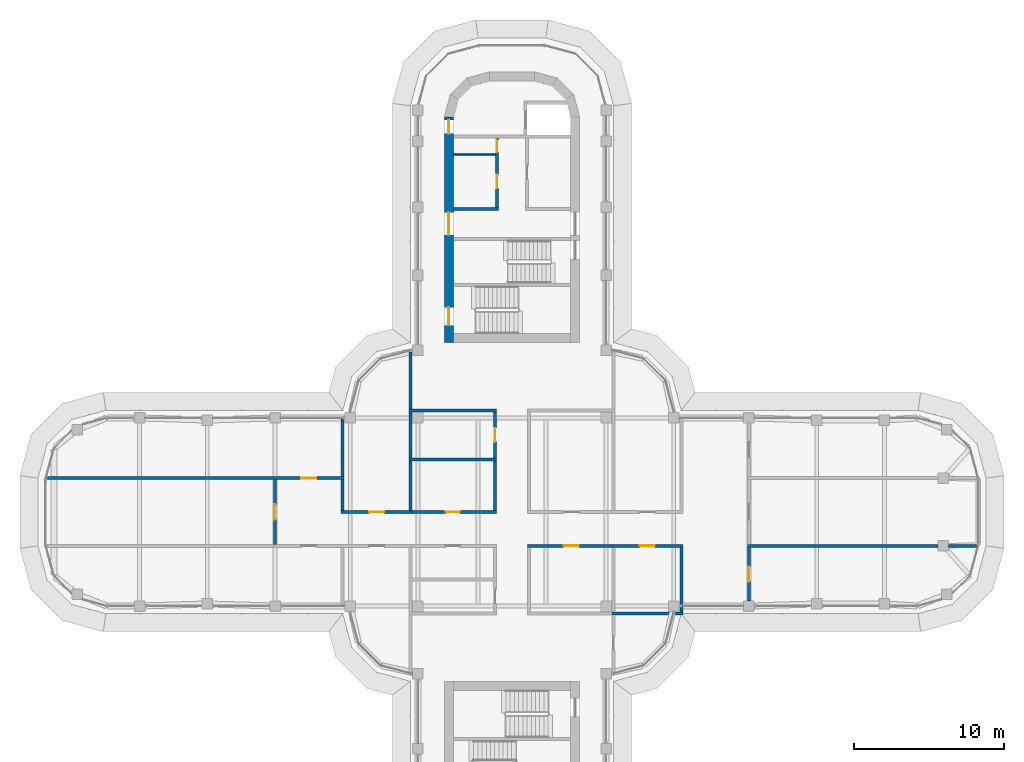
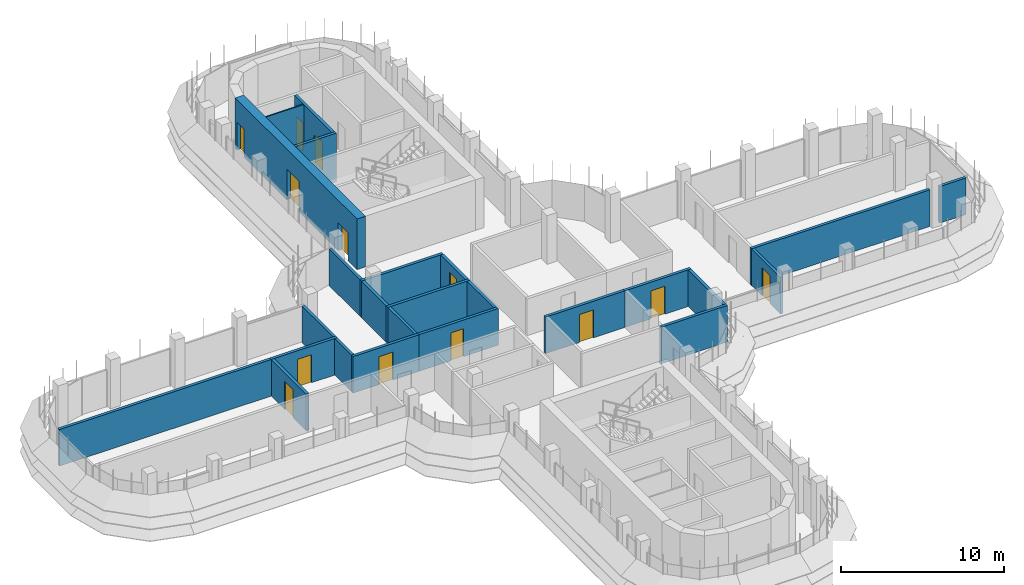
# One storey, part 14 of 19: 25 walls, 13 doors, 13 openings.
"""IFC4 building model written with IfcOpenShell, lengths in metres."""

from ifc_helpers import new_model, si_unit, direction, frame, frame_2d, origin, place, context, subcontext, project, spatial, rectangle, extrude, material, layer, layer_set, type_object, element, fill, save


model = new_model("IFC4")

# Units and contexts
model_context = context("Model", 3, precision=1e-05, world=origin(), true_north=direction((0.0, 1.0)))
body_context = subcontext(model_context, "Body", "Model", "MODEL_VIEW")
ifc_project = project(units=[si_unit("LENGTHUNIT", "METRE"), si_unit("AREAUNIT", "SQUARE_METRE"), si_unit("VOLUMEUNIT", "CUBIC_METRE"), si_unit("PLANEANGLEUNIT", "RADIAN"), si_unit("MASSUNIT", "GRAM", prefix="KILO")], contexts=[model_context])

# Site, building, storey
site_placement = place(None, origin())
site = spatial("IfcSite", under=ifc_project, at=site_placement, CompositionType="ELEMENT")
building_placement = place(site_placement, origin())
building = spatial("IfcBuilding", under=site, at=building_placement, Name="Zarbagh Exchange Tower", CompositionType="ELEMENT")
storey_placement = place(building_placement, frame((0.0, 0.0, 203.0)))
storey = spatial("IfcBuildingStorey", under=building, at=storey_placement, Name="L49", CompositionType="ELEMENT", Elevation=203.0)

# Wall
ifc_material_1 = material(Name="Dense blockwork", Category="masonry")
ifc_layer_1 = layer(ifc_material_1, 0.10009765625)
ifc_layer_set_1 = layer_set([ifc_layer_1], Name="Core partition 100 mm blockwork")
wall_type_1 = type_object("IfcWallType", Name="Core partition 100 mm blockwork", PredefinedType="PARTITIONING", material=ifc_layer_set_1)
wall_1_placement = place(storey_placement, frame((-3.89990234375, 23.75, 0.0), z_axis=(0.0, 0.0, 1.0), x_axis=(1.0, 0.0, 0.0)))
element("IfcWall", 1, at=wall_1_placement, inside=storey, type_object=wall_type_1, Name="North core partition wall CUT-W-460", PredefinedType="PARTITIONING", context=body_context, shape_type="SweptSolid", body=[
    extrude(rectangle(XDim=2.7998046875, YDim=0.10009765625, at=frame_2d((1.39990234375, 0.0))), origin(), (0.0, 0.0, 1.0), 3.64990234375),
])

# Wall, opening, door
ifc_material_2 = material(Name="Fire-rated plasterboard partition")
ifc_layer_2 = layer(ifc_material_2, 0.199951171875)
ifc_layer_set_2 = layer_set([ifc_layer_2], Name="RATED PARTITION 200")
wall_type_2 = type_object("IfcWallType", Name="RATED PARTITION 200", PredefinedType="PARTITIONING", material=ifc_layer_set_2)
wall_2_placement = place(storey_placement, frame((-6.85009765625, 0.0, 0.0), z_axis=(0.0, 0.0, 1.0), x_axis=(1.0, 0.0, 0.0)))
wall_2 = element("IfcWall", 2, at=wall_2_placement, inside=storey, type_object=wall_type_2, Name="Partition W-2103", PredefinedType="PARTITIONING", context=body_context, shape_type="SweptSolid", body=[
    extrude(rectangle(XDim=5.8251953125, YDim=0.199951171875, at=frame_2d((2.91259765625, 0.0))), origin(), (0.0, 0.0, 1.0), 2.75),
])
opening_1_placement = place(wall_2_placement, frame((2.46240234375, 0.0, 0.0)))
opening_1 = element("IfcOpeningElement", 3, at=opening_1_placement, cuts=wall_2, Name="Opening D-2106", PredefinedType="OPENING", context=body_context, shape_type="SweptSolid", body=[
    extrude(rectangle(XDim=0.89990234375, YDim=2.10009765625, at=frame_2d((0.449951171875, 1.050048828125))), frame((0.0, 0.10986328125, 0.0), z_axis=(0.0, -1.0, 0.0), x_axis=(1.0, 0.0, 0.0)), (0.0, 0.0, 1.0), 0.219970703125),
])
ifc_material_3 = material(Name="Timber door leaf", Category="wood")
door_type_1 = type_object("IfcDoorType", Name="DOOR 900 X 2100", OperationType="NOTDEFINED", PredefinedType="DOOR", material=ifc_material_3)
door_1_placement = place(opening_1_placement, origin())
door_1 = element("IfcDoor", 4, at=door_1_placement, inside=storey, type_object=door_type_1, Name="Door D-2106", OperationType="SINGLE_SWING_RIGHT", OverallHeight=2.10009765625, OverallWidth=0.89990234375, PredefinedType="DOOR", context=body_context, shape_type="SweptSolid", body=[
    extrude(rectangle(XDim=0.89990234375, YDim=2.10009765625, at=frame_2d((0.449951171875, 1.050048828125))), frame((0.0, 0.02490234375, 0.0), z_axis=(0.0, -1.0, 0.0), x_axis=(1.0, 0.0, 0.0)), (0.0, 0.0, 1.0), 0.050048828125),
])
fill(opening_1, door_1)

wall_3_placement = place(storey_placement, frame((-11.35009765625, 0.0, 0.0), z_axis=(0.0, 0.0, 1.0), x_axis=(1.0, 0.0, 0.0)))
wall_3 = element("IfcWall", 5, at=wall_3_placement, inside=storey, type_object=wall_type_2, Name="Partition W-2104", PredefinedType="PARTITIONING", context=body_context, shape_type="SweptSolid", body=[
    extrude(rectangle(XDim=4.7001953125, YDim=0.199951171875, at=frame_2d((2.35009765625, 0.0))), origin(), (0.0, 0.0, 1.0), 2.75),
])
opening_2_placement = place(wall_3_placement, frame((1.85009765625, 0.0, 0.0)))
opening_2 = element("IfcOpeningElement", 6, at=opening_2_placement, cuts=wall_3, Name="Opening D-2108", PredefinedType="OPENING", context=body_context, shape_type="SweptSolid", body=[
    extrude(rectangle(XDim=1.0, YDim=2.10009765625, at=frame_2d((0.5, 1.050048828125))), frame((0.0, 0.10986328125, 0.0), z_axis=(0.0, -1.0, 0.0), x_axis=(1.0, 0.0, 0.0)), (0.0, 0.0, 1.0), 0.219970703125),
])
ifc_material_4 = material(Name="Steel door set", Category="steel")
door_type_2 = type_object("IfcDoorType", Name="FIRE DOOR 1000 X 2100 FD30S", OperationType="NOTDEFINED", PredefinedType="DOOR", material=ifc_material_4)
door_2_placement = place(opening_2_placement, origin())
door_2 = element("IfcDoor", 7, at=door_2_placement, inside=storey, type_object=door_type_2, Name="Door D-2108", OperationType="SINGLE_SWING_RIGHT", OverallHeight=2.10009765625, OverallWidth=1.0, PredefinedType="DOOR", context=body_context, shape_type="SweptSolid", body=[
    extrude(rectangle(XDim=1.0, YDim=2.10009765625, at=frame_2d((0.5, 1.050048828125))), frame((0.0, 0.02490234375, 0.0), z_axis=(0.0, -1.0, 0.0), x_axis=(1.0, 0.0, 0.0)), (0.0, 0.0, 1.0), 0.050048828125),
])
fill(opening_2, door_2)

wall_4_placement = place(storey_placement, frame((6.85009765625, -2.25, 0.0), z_axis=(0.0, 0.0, 1.0), x_axis=(-1.0, 0.0, 0.0)))
wall_4 = element("IfcWall", 8, at=wall_4_placement, inside=storey, type_object=wall_type_2, Name="Partition W-2105", PredefinedType="PARTITIONING", context=body_context, shape_type="SweptSolid", body=[
    extrude(rectangle(XDim=5.8251953125, YDim=0.199951171875, at=frame_2d((2.91259765625, 0.0))), origin(), (0.0, 0.0, 1.0), 2.75),
])
opening_3_placement = place(wall_4_placement, frame((2.41259765625, 0.0, 0.0)))
opening_3 = element("IfcOpeningElement", 9, at=opening_3_placement, cuts=wall_4, Name="Opening D-2109", PredefinedType="OPENING", context=body_context, shape_type="SweptSolid", body=[
    extrude(rectangle(XDim=1.0, YDim=2.10009765625, at=frame_2d((0.5, 1.050048828125))), frame((0.0, 0.10986328125, 0.0), z_axis=(0.0, -1.0, 0.0), x_axis=(1.0, 0.0, 0.0)), (0.0, 0.0, 1.0), 0.219970703125),
])
door_3_placement = place(opening_3_placement, origin())
door_3 = element("IfcDoor", 10, at=door_3_placement, inside=storey, type_object=door_type_2, Name="Door D-2109", OperationType="SINGLE_SWING_RIGHT", OverallHeight=2.10009765625, OverallWidth=1.0, PredefinedType="DOOR", context=body_context, shape_type="SweptSolid", body=[
    extrude(rectangle(XDim=1.0, YDim=2.10009765625, at=frame_2d((0.5, 1.050048828125))), frame((0.0, 0.02490234375, 0.0), z_axis=(0.0, -1.0, 0.0), x_axis=(1.0, 0.0, 0.0)), (0.0, 0.0, 1.0), 0.050048828125),
])
fill(opening_3, door_3)

wall_5_placement = place(storey_placement, frame((11.35009765625, -2.25, 0.0), z_axis=(0.0, 0.0, 1.0), x_axis=(-1.0, 0.0, 0.0)))
wall_5 = element("IfcWall", 11, at=wall_5_placement, inside=storey, type_object=wall_type_2, Name="Partition W-2106", PredefinedType="PARTITIONING", context=body_context, shape_type="SweptSolid", body=[
    extrude(rectangle(XDim=4.7001953125, YDim=0.199951171875, at=frame_2d((2.35009765625, 0.0))), origin(), (0.0, 0.0, 1.0), 2.75),
])
opening_4_placement = place(wall_5_placement, frame((1.85009765625, 0.0, 0.0)))
opening_4 = element("IfcOpeningElement", 12, at=opening_4_placement, cuts=wall_5, Name="Opening D-2110", PredefinedType="OPENING", context=body_context, shape_type="SweptSolid", body=[
    extrude(rectangle(XDim=1.0, YDim=2.10009765625, at=frame_2d((0.5, 1.050048828125))), frame((0.0, 0.10986328125, 0.0), z_axis=(0.0, -1.0, 0.0), x_axis=(1.0, 0.0, 0.0)), (0.0, 0.0, 1.0), 0.219970703125),
])
door_4_placement = place(opening_4_placement, origin())
door_4 = element("IfcDoor", 13, at=door_4_placement, inside=storey, type_object=door_type_2, Name="Door D-2110", OperationType="SINGLE_SWING_RIGHT", OverallHeight=2.10009765625, OverallWidth=1.0, PredefinedType="DOOR", context=body_context, shape_type="SweptSolid", body=[
    extrude(rectangle(XDim=1.0, YDim=2.10009765625, at=frame_2d((0.5, 1.050048828125))), frame((0.0, 0.02490234375, 0.0), z_axis=(0.0, -1.0, 0.0), x_axis=(1.0, 0.0, 0.0)), (0.0, 0.0, 1.0), 0.050048828125),
])
fill(opening_4, door_4)

# Wall
wall_6_placement = place(storey_placement, frame((-1.125, 0.10009765625, 0.0), z_axis=(0.0, 0.0, 1.0), x_axis=(0.0, 1.0, 0.0)))
element("IfcWall", 14, at=wall_6_placement, inside=storey, type_object=wall_type_2, Name="Partition W-2110", PredefinedType="PARTITIONING", context=body_context, shape_type="SweptSolid", body=[
    extrude(rectangle(XDim=3.2998046875, YDim=0.199951171875, at=frame_2d((1.64990234375, 0.0))), origin(), (0.0, 0.0, 1.0), 2.75),
])

# Wall, opening, door
wall_7_placement = place(storey_placement, frame((-1.125, 3.60009765625, 0.0), z_axis=(0.0, 0.0, 1.0), x_axis=(0.0, 1.0, 0.0)))
wall_7 = element("IfcWall", 15, at=wall_7_placement, inside=storey, type_object=wall_type_2, Name="Partition W-2111", PredefinedType="PARTITIONING", context=body_context, shape_type="SweptSolid", body=[
    extrude(rectangle(XDim=3.0498046875, YDim=0.199951171875, at=frame_2d((1.52490234375, 0.0))), origin(), (0.0, 0.0, 1.0), 2.75),
])
opening_5_placement = place(wall_7_placement, frame((1.074951171875, 0.0, 0.0)))
opening_5 = element("IfcOpeningElement", 16, at=opening_5_placement, cuts=wall_7, Name="Opening D-2107", PredefinedType="OPENING", context=body_context, shape_type="SweptSolid", body=[
    extrude(rectangle(XDim=0.89990234375, YDim=2.10009765625, at=frame_2d((0.449951171875, 1.050048828125))), frame((0.0, 0.10986328125, 0.0), z_axis=(0.0, -1.0, 0.0), x_axis=(1.0, 0.0, 0.0)), (0.0, 0.0, 1.0), 0.219970703125),
])
door_5_placement = place(opening_5_placement, origin())
door_5 = element("IfcDoor", 17, at=door_5_placement, inside=storey, type_object=door_type_1, Name="Door D-2107", OperationType="SINGLE_SWING_LEFT", OverallHeight=2.10009765625, OverallWidth=0.89990234375, PredefinedType="DOOR", context=body_context, shape_type="SweptSolid", body=[
    extrude(rectangle(XDim=0.89990234375, YDim=2.10009765625, at=frame_2d((0.449951171875, 1.050048828125))), frame((0.0, 0.02490234375, 0.0), z_axis=(0.0, -1.0, 0.0), x_axis=(1.0, 0.0, 0.0)), (0.0, 0.0, 1.0), 0.050048828125),
])
fill(opening_5, door_5)

# Walls
wall_8_placement = place(storey_placement, frame((-6.85009765625, 6.75, 0.0), z_axis=(0.0, 0.0, 1.0), x_axis=(1.0, 0.0, 0.0)))
element("IfcWall", 18, at=wall_8_placement, inside=storey, type_object=wall_type_2, Name="Partition W-2117", PredefinedType="PARTITIONING", context=body_context, shape_type="SweptSolid", body=[
    extrude(rectangle(XDim=5.8251953125, YDim=0.199951171875, at=frame_2d((2.91259765625, 0.0))), origin(), (0.0, 0.0, 1.0), 2.75),
])
wall_9_placement = place(storey_placement, frame((-6.75, 6.85009765625, 0.0), z_axis=(0.0, 0.0, 1.0), x_axis=(0.0, 1.0, 0.0)))
element("IfcWall", 19, at=wall_9_placement, inside=storey, type_object=wall_type_2, Name="Partition W-2118", PredefinedType="PARTITIONING", context=body_context, shape_type="SweptSolid", body=[
    extrude(rectangle(XDim=3.77978515625, YDim=0.199951171875, at=frame_2d((1.889892578125, 0.0))), origin(), (0.0, 0.0, 1.0), 2.75),
])
wall_10_placement = place(storey_placement, frame((-6.85009765625, 3.5, 0.0), z_axis=(0.0, 0.0, 1.0), x_axis=(1.0, 0.0, 0.0)))
element("IfcWall", 20, at=wall_10_placement, inside=storey, type_object=wall_type_2, Name="Partition W-2125", PredefinedType="PARTITIONING", context=body_context, shape_type="SweptSolid", body=[
    extrude(rectangle(XDim=5.8251953125, YDim=0.199951171875, at=frame_2d((2.91259765625, 0.0))), origin(), (0.0, 0.0, 1.0), 2.75),
])
wall_11_placement = place(storey_placement, frame((-6.75, 0.10009765625, 0.0), z_axis=(0.0, 0.0, 1.0), x_axis=(0.0, 1.0, 0.0)))
element("IfcWall", 21, at=wall_11_placement, inside=storey, type_object=wall_type_2, Name="Partition W-2126", PredefinedType="PARTITIONING", context=body_context, shape_type="SweptSolid", body=[
    extrude(rectangle(XDim=3.2998046875, YDim=0.199951171875, at=frame_2d((1.64990234375, 0.0))), origin(), (0.0, 0.0, 1.0), 2.75),
])
wall_12_placement = place(storey_placement, frame((-6.75, 3.60009765625, 0.0), z_axis=(0.0, 0.0, 1.0), x_axis=(0.0, 1.0, 0.0)))
element("IfcWall", 22, at=wall_12_placement, inside=storey, type_object=wall_type_2, Name="Partition W-2127", PredefinedType="PARTITIONING", context=body_context, shape_type="SweptSolid", body=[
    extrude(rectangle(XDim=3.0498046875, YDim=0.199951171875, at=frame_2d((1.52490234375, 0.0))), origin(), (0.0, 0.0, 1.0), 2.75),
])
wall_13_placement = place(storey_placement, frame((-11.25, 0.10009765625, 0.0), z_axis=(0.0, 0.0, 1.0), x_axis=(0.0, 1.0, 0.0)))
element("IfcWall", 23, at=wall_13_placement, inside=storey, type_object=wall_type_2, Name="Partition W-2128", PredefinedType="PARTITIONING", context=body_context, shape_type="SweptSolid", body=[
    extrude(rectangle(XDim=2.0498046875, YDim=0.199951171875, at=frame_2d((1.02490234375, 0.0))), origin(), (0.0, 0.0, 1.0), 2.75),
])
wall_14_placement = place(storey_placement, frame((-11.25, 2.35009765625, 0.0), z_axis=(0.0, 0.0, 1.0), x_axis=(0.0, 1.0, 0.0)))
element("IfcWall", 24, at=wall_14_placement, inside=storey, type_object=wall_type_2, Name="Partition W-2129", PredefinedType="PARTITIONING", context=body_context, shape_type="SweptSolid", body=[
    extrude(rectangle(XDim=3.81982421875, YDim=0.199951171875, at=frame_2d((1.909912109375, 0.0))), origin(), (0.0, 0.0, 1.0), 2.75),
])
wall_15_placement = place(storey_placement, frame((6.64990234375, -6.75, 0.0), z_axis=(0.0, 0.0, 1.0), x_axis=(1.0, 0.0, 0.0)))
element("IfcWall", 25, at=wall_15_placement, inside=storey, type_object=wall_type_2, Name="Partition W-2131", PredefinedType="PARTITIONING", context=body_context, shape_type="SweptSolid", body=[
    extrude(rectangle(XDim=4.7001953125, YDim=0.199951171875, at=frame_2d((2.35009765625, 0.0))), origin(), (0.0, 0.0, 1.0), 2.75),
])
wall_16_placement = place(storey_placement, frame((11.25, -6.64990234375, 0.0), z_axis=(0.0, 0.0, 1.0), x_axis=(0.0, 1.0, 0.0)))
element("IfcWall", 26, at=wall_16_placement, inside=storey, type_object=wall_type_2, Name="Partition W-2132", PredefinedType="PARTITIONING", context=body_context, shape_type="SweptSolid", body=[
    extrude(rectangle(XDim=4.2998046875, YDim=0.199951171875, at=frame_2d((2.14990234375, 0.0))), origin(), (0.0, 0.0, 1.0), 2.75),
])

# Wall, opening, door
wall_17_placement = place(storey_placement, frame((15.75, -2.35009765625, 0.0), z_axis=(0.0, 0.0, 1.0), x_axis=(0.0, -1.0, 0.0)))
wall_17 = element("IfcWall", 27, at=wall_17_placement, inside=storey, type_object=wall_type_2, Name="Partition W-2137", PredefinedType="PARTITIONING", context=body_context, shape_type="SweptSolid", body=[
    extrude(rectangle(XDim=3.5498046875, YDim=0.199951171875, at=frame_2d((1.77490234375, 0.0))), origin(), (0.0, 0.0, 1.0), 2.75),
])
opening_6_placement = place(wall_17_placement, frame((1.27490234375, 0.0, 0.0)))
opening_6 = element("IfcOpeningElement", 28, at=opening_6_placement, cuts=wall_17, Name="Opening D-2101", PredefinedType="OPENING", context=body_context, shape_type="SweptSolid", body=[
    extrude(rectangle(XDim=1.0, YDim=2.10009765625, at=frame_2d((0.5, 1.050048828125))), frame((0.0, 0.10986328125, 0.0), z_axis=(0.0, -1.0, 0.0), x_axis=(1.0, 0.0, 0.0)), (0.0, 0.0, 1.0), 0.219970703125),
])
door_6_placement = place(opening_6_placement, origin())
door_6 = element("IfcDoor", 29, at=door_6_placement, inside=storey, type_object=door_type_2, Name="Door D-2101", OperationType="SINGLE_SWING_LEFT", OverallHeight=2.10009765625, OverallWidth=1.0, PredefinedType="DOOR", context=body_context, shape_type="SweptSolid", body=[
    extrude(rectangle(XDim=1.0, YDim=2.10009765625, at=frame_2d((0.5, 1.050048828125))), frame((0.0, 0.02490234375, 0.0), z_axis=(0.0, -1.0, 0.0), x_axis=(1.0, 0.0, 0.0)), (0.0, 0.0, 1.0), 0.050048828125),
])
fill(opening_6, door_6)

# Walls
wall_18_placement = place(storey_placement, frame((15.64990234375, -2.25, 0.0), z_axis=(0.0, 0.0, 1.0), x_axis=(1.0, 0.0, 0.0)))
element("IfcWall", 30, at=wall_18_placement, inside=storey, type_object=wall_type_2, Name="Partition W-2140", PredefinedType="PARTITIONING", context=body_context, shape_type="SweptSolid", body=[
    extrude(rectangle(XDim=12.670166015625, YDim=0.199951171875, at=frame_2d((6.3349609375, 0.0))), origin(), (0.0, 0.0, 1.0), 2.75),
])
wall_19_placement = place(storey_placement, frame((29.02001953125, -2.25, 0.0), z_axis=(0.0, 0.0, 1.0), x_axis=(1.0, 0.0, 0.0)))
element("IfcWall", 31, at=wall_19_placement, inside=storey, type_object=wall_type_2, Name="Partition W-2141", PredefinedType="PARTITIONING", context=body_context, shape_type="SweptSolid", body=[
    extrude(rectangle(XDim=1.85986328125, YDim=0.199951171875, at=frame_2d((0.929931640625, 0.0))), origin(), (0.0, 0.0, 1.0), 2.75),
])

# Wall, opening, door
wall_20_placement = place(storey_placement, frame((-15.85009765625, 2.25, 0.0), z_axis=(0.0, 0.0, 1.0), x_axis=(1.0, 0.0, 0.0)))
wall_20 = element("IfcWall", 32, at=wall_20_placement, inside=storey, type_object=wall_type_2, Name="Partition W-2144", PredefinedType="PARTITIONING", context=body_context, shape_type="SweptSolid", body=[
    extrude(rectangle(XDim=4.7001953125, YDim=0.199951171875, at=frame_2d((2.35009765625, 0.0))), origin(), (0.0, 0.0, 1.0), 2.75),
])
opening_7_placement = place(wall_20_placement, frame((1.85009765625, 0.0, 0.0)))
opening_7 = element("IfcOpeningElement", 33, at=opening_7_placement, cuts=wall_20, Name="Opening D-2116", PredefinedType="OPENING", context=body_context, shape_type="SweptSolid", body=[
    extrude(rectangle(XDim=1.0, YDim=2.10009765625, at=frame_2d((0.5, 1.050048828125))), frame((0.0, 0.10986328125, 0.0), z_axis=(0.0, -1.0, 0.0), x_axis=(1.0, 0.0, 0.0)), (0.0, 0.0, 1.0), 0.219970703125),
])
door_7_placement = place(opening_7_placement, origin())
door_7 = element("IfcDoor", 34, at=door_7_placement, inside=storey, type_object=door_type_2, Name="Door D-2116", OperationType="SINGLE_SWING_RIGHT", OverallHeight=2.10009765625, OverallWidth=1.0, PredefinedType="DOOR", context=body_context, shape_type="SweptSolid", body=[
    extrude(rectangle(XDim=1.0, YDim=2.10009765625, at=frame_2d((0.5, 1.050048828125))), frame((0.0, 0.02490234375, 0.0), z_axis=(0.0, -1.0, 0.0), x_axis=(1.0, 0.0, 0.0)), (0.0, 0.0, 1.0), 0.050048828125),
])
fill(opening_7, door_7)

wall_21_placement = place(storey_placement, frame((-15.75, -2.14990234375, 0.0), z_axis=(0.0, 0.0, 1.0), x_axis=(0.0, 1.0, 0.0)))
wall_21 = element("IfcWall", 35, at=wall_21_placement, inside=storey, type_object=wall_type_2, Name="Partition W-2146", PredefinedType="PARTITIONING", context=body_context, shape_type="SweptSolid", body=[
    extrude(rectangle(XDim=4.2998046875, YDim=0.199951171875, at=frame_2d((2.14990234375, 0.0))), origin(), (0.0, 0.0, 1.0), 2.75),
])
opening_8_placement = place(wall_21_placement, frame((1.64990234375, 0.0, 0.0)))
opening_8 = element("IfcOpeningElement", 36, at=opening_8_placement, cuts=wall_21, Name="Opening D-2115", PredefinedType="OPENING", context=body_context, shape_type="SweptSolid", body=[
    extrude(rectangle(XDim=1.0, YDim=2.10009765625, at=frame_2d((0.5, 1.050048828125))), frame((0.0, 0.10986328125, 0.0), z_axis=(0.0, -1.0, 0.0), x_axis=(1.0, 0.0, 0.0)), (0.0, 0.0, 1.0), 0.219970703125),
])
door_8_placement = place(opening_8_placement, origin())
door_8 = element("IfcDoor", 37, at=door_8_placement, inside=storey, type_object=door_type_2, Name="Door D-2115", OperationType="SINGLE_SWING_RIGHT", OverallHeight=2.10009765625, OverallWidth=1.0, PredefinedType="DOOR", context=body_context, shape_type="SweptSolid", body=[
    extrude(rectangle(XDim=1.0, YDim=2.10009765625, at=frame_2d((0.5, 1.050048828125))), frame((0.0, 0.02490234375, 0.0), z_axis=(0.0, -1.0, 0.0), x_axis=(1.0, 0.0, 0.0)), (0.0, 0.0, 1.0), 0.050048828125),
])
fill(opening_8, door_8)

# Wall
wall_22_placement = place(storey_placement, frame((-30.8798828125, 2.25, 0.0), z_axis=(0.0, 0.0, 1.0), x_axis=(1.0, 0.0, 0.0)))
element("IfcWall", 38, at=wall_22_placement, inside=storey, type_object=wall_type_2, Name="Partition W-2147", PredefinedType="PARTITIONING", context=body_context, shape_type="SweptSolid", body=[
    extrude(rectangle(XDim=15.22998046875, YDim=0.199951171875, at=frame_2d((7.614990234375, 0.0))), origin(), (0.0, 0.0, 1.0), 2.75),
])

# Wall, openings, doors
ifc_material_5 = material(Name="Concrete C50/60", Category="concrete")
ifc_layer_3 = layer(ifc_material_5, 0.60009765625)
ifc_layer_set_3 = layer_set([ifc_layer_3], Name="RC core wall 600 C50/60")
wall_type_3 = type_object("IfcWallType", Name="RC core wall 600 C50/60", PredefinedType="SHEAR", material=ifc_layer_set_3)
wall_23_placement = place(storey_placement, frame((-4.199951171875, 11.25, 0.0), z_axis=(0.0, 0.0, 1.0), x_axis=(0.0, 1.0, 0.0)))
wall_23 = element("IfcWall", 39, at=wall_23_placement, inside=storey, type_object=wall_type_3, Name="CW7 core N W", PredefinedType="SHEAR", context=body_context, shape_type="SweptSolid", body=[
    extrude(rectangle(XDim=15.0, YDim=0.60009765625, at=frame_2d((7.5, 0.0))), origin(), (0.0, 0.0, 1.0), 3.800048828125),
])
opening_9_placement = place(wall_23_placement, frame((7.14990234375, 0.0, 0.0)))
opening_9 = element("IfcOpeningElement", 40, at=opening_9_placement, cuts=wall_23, Name="Opening CD1-1500", PredefinedType="OPENING", context=body_context, shape_type="SweptSolid", body=[
    extrude(rectangle(XDim=1.5, YDim=2.300048828125, at=frame_2d((0.75, 1.14990234375))), frame((0.0, 0.31005859375, 0.0), z_axis=(0.0, -1.0, 0.0), x_axis=(1.0, 0.0, 0.0)), (0.0, 0.0, 1.0), 0.6201171875),
])
opening_10_placement = place(wall_23_placement, frame((13.89990234375, 0.0, 0.0)))
opening_10 = element("IfcOpeningElement", 41, at=opening_10_placement, cuts=wall_23, Name="Opening CD2-900", PredefinedType="OPENING", context=body_context, shape_type="SweptSolid", body=[
    extrude(rectangle(XDim=0.89990234375, YDim=2.10009765625, at=frame_2d((0.449951171875, 1.050048828125))), frame((0.0, 0.31005859375, 0.0), z_axis=(0.0, -1.0, 0.0), x_axis=(1.0, 0.0, 0.0)), (0.0, 0.0, 1.0), 0.6201171875),
])
opening_11_placement = place(wall_23_placement, frame((1.14990234375, 0.0, 0.0)))
opening_11 = element("IfcOpeningElement", 42, at=opening_11_placement, cuts=wall_23, Name="Opening SD1-1200", PredefinedType="OPENING", context=body_context, shape_type="SweptSolid", body=[
    extrude(rectangle(XDim=1.199951171875, YDim=2.10009765625, at=frame_2d((0.60009765625, 1.050048828125))), frame((0.0, 0.31005859375, 0.0), z_axis=(0.0, -1.0, 0.0), x_axis=(1.0, 0.0, 0.0)), (0.0, 0.0, 1.0), 0.6201171875),
])
ifc_material_6 = material(Name="Steel", Category="steel")
door_type_3 = type_object("IfcDoorType", Name="Exit stair door 1200 x 2100", OperationType="NOTDEFINED", PredefinedType="DOOR", material=ifc_material_6)
door_9_placement = place(opening_11_placement, origin())
door_9 = element("IfcDoor", 43, at=door_9_placement, inside=storey, type_object=door_type_3, Name="North core stair door ST2", OperationType="SINGLE_SWING_RIGHT", OverallHeight=2.10009765625, OverallWidth=1.199951171875, PredefinedType="DOOR", context=body_context, shape_type="SweptSolid", body=[
    extrude(rectangle(XDim=1.199951171875, YDim=2.10009765625, at=frame_2d((0.60009765625, 1.050048828125))), frame((0.0, 0.02490234375, 0.0), z_axis=(0.0, -1.0, 0.0), x_axis=(1.0, 0.0, 0.0)), (0.0, 0.0, 1.0), 0.050048828125),
])
fill(opening_11, door_9)
door_type_4 = type_object("IfcDoorType", Name="Firefighting lobby door 900 x 2100", OperationType="NOTDEFINED", PredefinedType="DOOR", material=ifc_material_6)
door_10_placement = place(opening_10_placement, origin())
door_10 = element("IfcDoor", 44, at=door_10_placement, inside=storey, type_object=door_type_4, Name="North core firefighting lobby door FF-W", OperationType="SINGLE_SWING_LEFT", OverallHeight=2.10009765625, OverallWidth=0.89990234375, PredefinedType="DOOR", context=body_context, shape_type="SweptSolid", body=[
    extrude(rectangle(XDim=0.89990234375, YDim=2.10009765625, at=frame_2d((0.449951171875, 1.050048828125))), frame((0.0, 0.02490234375, 0.0), z_axis=(0.0, -1.0, 0.0), x_axis=(1.0, 0.0, 0.0)), (0.0, 0.0, 1.0), 0.050048828125),
])
fill(opening_10, door_10)
door_type_5 = type_object("IfcDoorType", Name="Lift lobby double door 1500 x 2300", OperationType="NOTDEFINED", PredefinedType="DOOR", material=ifc_material_6)
door_11_placement = place(opening_9_placement, origin())
door_11 = element("IfcDoor", 45, at=door_11_placement, inside=storey, type_object=door_type_5, Name="North core lift lobby door LOBBY-W", OperationType="DOUBLE_DOOR_SINGLE_SWING", OverallHeight=2.300048828125, OverallWidth=1.5, PredefinedType="DOOR", context=body_context, shape_type="SweptSolid", body=[
    extrude(rectangle(XDim=1.5, YDim=2.300048828125, at=frame_2d((0.75, 1.14990234375))), frame((0.0, 0.02490234375, 0.0), z_axis=(0.0, -1.0, 0.0), x_axis=(1.0, 0.0, 0.0)), (0.0, 0.0, 1.0), 0.050048828125),
])
fill(opening_9, door_11)

# Wall
ifc_layer_4 = layer(ifc_material_1, 0.199951171875)
ifc_layer_set_4 = layer_set([ifc_layer_4], Name="Shaft wall 200 mm blockwork")
wall_type_4 = type_object("IfcWallType", Name="Shaft wall 200 mm blockwork", PredefinedType="PARTITIONING", material=ifc_layer_set_4)
wall_24_placement = place(storey_placement, frame((-3.89990234375, 20.14990234375, 0.0), z_axis=(0.0, 0.0, 1.0), x_axis=(1.0, 0.0, 0.0)))
element("IfcWall", 46, at=wall_24_placement, inside=storey, type_object=wall_type_4, Name="North core shaft wall AB-W", PredefinedType="PARTITIONING", context=body_context, shape_type="SweptSolid", body=[
    extrude(rectangle(XDim=3.0, YDim=0.199951171875, at=frame_2d((1.5, 0.0))), origin(), (0.0, 0.0, 1.0), 3.64990234375),
])

# Wall, openings, doors
wall_25_placement = place(storey_placement, frame((-1.0, 24.85009765625, 0.0), z_axis=(0.0, 0.0, 1.0), x_axis=(0.0, -1.0, 0.0)))
wall_25 = element("IfcWall", 47, at=wall_25_placement, inside=storey, type_object=wall_type_4, Name="North core shaft wall LW-W", PredefinedType="PARTITIONING", context=body_context, shape_type="SweptSolid", body=[
    extrude(rectangle(XDim=4.60009765625, YDim=0.199951171875, at=frame_2d((2.300048828125, 0.0))), origin(), (0.0, 0.0, 1.0), 3.64990234375),
])
opening_12_placement = place(wall_25_placement, frame((0.125, 0.0, 0.0)))
opening_12 = element("IfcOpeningElement", 48, at=opening_12_placement, cuts=wall_25, Name="Opening CD3-800", PredefinedType="OPENING", context=body_context, shape_type="SweptSolid", body=[
    extrude(rectangle(XDim=0.800048828125, YDim=2.10009765625, at=frame_2d((0.39990234375, 1.050048828125))), frame((0.0, 0.10986328125, 0.0), z_axis=(0.0, -1.0, 0.0), x_axis=(1.0, 0.0, 0.0)), (0.0, 0.0, 1.0), 0.219970703125),
])
opening_13_placement = place(wall_25_placement, frame((2.425048828125, 0.0, 0.0)))
opening_13 = element("IfcOpeningElement", 49, at=opening_13_placement, cuts=wall_25, Name="Opening CD3-900", PredefinedType="OPENING", context=body_context, shape_type="SweptSolid", body=[
    extrude(rectangle(XDim=0.89990234375, YDim=2.10009765625, at=frame_2d((0.449951171875, 1.050048828125))), frame((0.0, 0.10986328125, 0.0), z_axis=(0.0, -1.0, 0.0), x_axis=(1.0, 0.0, 0.0)), (0.0, 0.0, 1.0), 0.219970703125),
])
door_type_6 = type_object("IfcDoorType", Name="Core room door 800 x 2100", OperationType="NOTDEFINED", PredefinedType="DOOR", material=ifc_material_6)
door_12_placement = place(opening_12_placement, origin())
door_12 = element("IfcDoor", 50, at=door_12_placement, inside=storey, type_object=door_type_6, Name="North core Store door RD-W-0", OperationType="SINGLE_SWING_LEFT", OverallHeight=2.10009765625, OverallWidth=0.800048828125, PredefinedType="DOOR", context=body_context, shape_type="SweptSolid", body=[
    extrude(rectangle(XDim=0.800048828125, YDim=2.10009765625, at=frame_2d((0.39990234375, 1.050048828125))), frame((0.0, 0.02490234375, 0.0), z_axis=(0.0, -1.0, 0.0), x_axis=(1.0, 0.0, 0.0)), (0.0, 0.0, 1.0), 0.050048828125),
])
fill(opening_12, door_12)
door_type_7 = type_object("IfcDoorType", Name="Core room door 900 x 2100", OperationType="NOTDEFINED", PredefinedType="DOOR", material=ifc_material_6)
door_13_placement = place(opening_13_placement, origin())
door_13 = element("IfcDoor", 51, at=door_13_placement, inside=storey, type_object=door_type_7, Name="North core Accessible WC door RD-W-1", OperationType="SINGLE_SWING_LEFT", OverallHeight=2.10009765625, OverallWidth=0.89990234375, PredefinedType="DOOR", context=body_context, shape_type="SweptSolid", body=[
    extrude(rectangle(XDim=0.89990234375, YDim=2.10009765625, at=frame_2d((0.449951171875, 1.050048828125))), frame((0.0, 0.02490234375, 0.0), z_axis=(0.0, -1.0, 0.0), x_axis=(1.0, 0.0, 0.0)), (0.0, 0.0, 1.0), 0.050048828125),
])
fill(opening_13, door_13)

save(model, "model.ifc")
